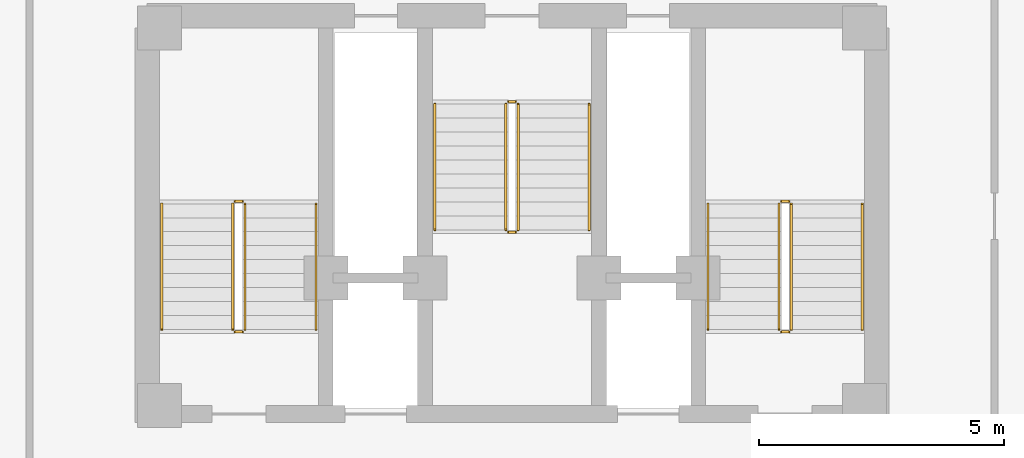
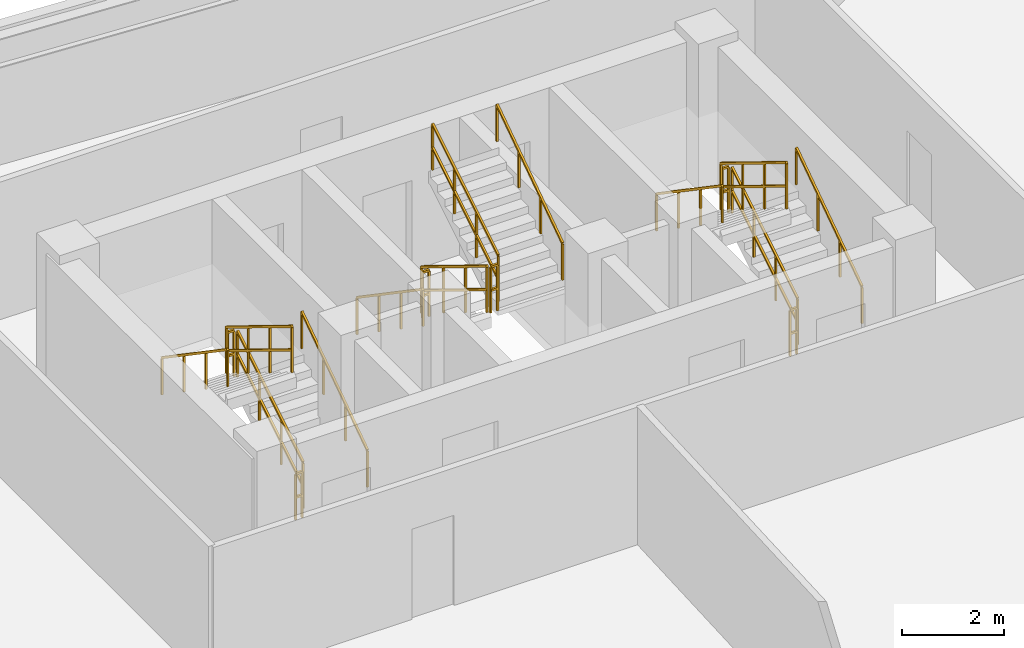
# One storey, part 8 of 8: 18 railings.
"""IFC4 building model written with IfcOpenShell, lengths in metres."""

from ifc_helpers import new_model, si_unit, direction, frame, origin, origin_2d, place, context, subcontext, project, spatial, rectangle, extrude, material, type_object, element, save


model = new_model("IFC4")

# Units and contexts
model_context = context("Model", 3, precision=1e-05, world=origin(), true_north=direction((0.0, 1.0)))
body_context = subcontext(model_context, "Body", "Model", "MODEL_VIEW")
ifc_project = project(units=[si_unit("LENGTHUNIT", "METRE"), si_unit("AREAUNIT", "SQUARE_METRE"), si_unit("VOLUMEUNIT", "CUBIC_METRE"), si_unit("PLANEANGLEUNIT", "RADIAN"), si_unit("MASSUNIT", "GRAM", prefix="KILO")], contexts=[model_context])

# Site, building, storey
site_placement = place(None, origin())
site = spatial("IfcSite", under=ifc_project, at=site_placement, CompositionType="ELEMENT")
building_placement = place(site_placement, origin())
building = spatial("IfcBuilding", under=site, at=building_placement, Name="Apsidion Concourse Tower", CompositionType="ELEMENT")
storey_placement = place(building_placement, frame((0.0, 0.0, 336.0)))
storey = spatial("IfcBuildingStorey", under=building, at=storey_placement, Name="L79", CompositionType="ELEMENT", Elevation=336.0)

# Railings
ifc_material = material(Name="Brushed stainless steel 316", Category="steel")
railing_type_1 = type_object("IfcRailingType", Name="RL-GUARD-1100", PredefinedType="GUARDRAIL", material=ifc_material)
railing_1_placement = place(storey_placement, frame((-5.449951171875, 3.0, 0.175048828125)))
element("IfcRailing", 1, at=railing_1_placement, inside=storey, type_object=railing_type_1, Name="L79 ST1 stair guard 1", PredefinedType="GUARDRAIL", context=body_context, shape_type="SweptSolid", body=[
    extrude(rectangle(XDim=0.048095703125, YDim=0.048095703125, at=origin_2d()), frame((0.0, 0.0, 1.09619140625), z_axis=(0.0, 0.852173129349, 0.523259933127), x_axis=(-1.0, 0.0, 0.0)), (0.0, 0.0, 1.0), 3.009765625),
    extrude(rectangle(XDim=0.048095703125, YDim=0.048095703125, at=origin_2d()), frame((0.0, 0.0, 0.5361328125), z_axis=(0.0, 0.852173129349, 0.523259933127), x_axis=(-1.0, 0.0, 0.0)), (0.0, 0.0, 1.0), 3.009765625),
    extrude(rectangle(XDim=0.0419921875, YDim=0.0419921875, at=origin_2d()), origin(), (0.0, 0.0, 1.0), 1.072021484375),
    extrude(rectangle(XDim=0.0419921875, YDim=0.0419921875, at=origin_2d()), frame((0.0, 0.85498046875, 0.52490234375)), (0.0, 0.0, 1.0), 1.072021484375),
    extrude(rectangle(XDim=0.0419921875, YDim=0.0419921875, at=origin_2d()), frame((0.0, 1.7099609375, 1.050048828125)), (0.0, 0.0, 1.0), 1.072021484375),
    extrude(rectangle(XDim=0.0419921875, YDim=0.0419921875, at=origin_2d()), frame((0.0, 2.56494140625, 1.574951171875)), (0.0, 0.0, 1.0), 1.072021484375),
])
railing_2_placement = place(storey_placement, frame((-5.5, 5.614990234375, 1.75)))
element("IfcRailing", 2, at=railing_2_placement, inside=storey, type_object=railing_type_1, Name="L79 ST1 stair guard 2", PredefinedType="GUARDRAIL", context=body_context, shape_type="SweptSolid", body=[
    extrude(rectangle(XDim=0.048095703125, YDim=0.048095703125, at=origin_2d()), frame((0.0, 0.0, 1.09619140625), z_axis=(-1.0, 0.0, 0.0), x_axis=(0.0, -1.0, 0.0)), (0.0, 0.0, 1.0), 0.14990234375),
    extrude(rectangle(XDim=0.048095703125, YDim=0.048095703125, at=origin_2d()), frame((0.0, 0.0, 0.5361328125), z_axis=(-1.0, 0.0, 0.0), x_axis=(0.0, -1.0, 0.0)), (0.0, 0.0, 1.0), 0.14990234375),
    extrude(rectangle(XDim=0.0419921875, YDim=0.0419921875, at=origin_2d()), origin(), (0.0, 0.0, 1.0), 1.072021484375),
    extrude(rectangle(XDim=0.0419921875, YDim=0.0419921875, at=origin_2d()), frame((-0.14990234375, 0.0, 0.0)), (0.0, 0.0, 1.0), 1.072021484375),
])
railing_3_placement = place(storey_placement, frame((-5.699951171875, 5.56494140625, 1.925048828125)))
element("IfcRailing", 3, at=railing_3_placement, inside=storey, type_object=railing_type_1, Name="L79 ST1 stair guard 3", PredefinedType="GUARDRAIL", context=body_context, shape_type="SweptSolid", body=[
    extrude(rectangle(XDim=0.048095703125, YDim=0.048095703125, at=origin_2d()), frame((0.0, 0.0, 1.09619140625), z_axis=(0.0, -0.852173129349, 0.523259933127), x_axis=(1.0, 0.0, 0.0)), (0.0, 0.0, 1.0), 3.009765625),
    extrude(rectangle(XDim=0.048095703125, YDim=0.048095703125, at=origin_2d()), frame((0.0, 0.0, 0.5361328125), z_axis=(0.0, -0.852173129349, 0.523259933127), x_axis=(1.0, 0.0, 0.0)), (0.0, 0.0, 1.0), 3.009765625),
    extrude(rectangle(XDim=0.0419921875, YDim=0.0419921875, at=origin_2d()), origin(), (0.0, 0.0, 1.0), 1.072021484375),
    extrude(rectangle(XDim=0.0419921875, YDim=0.0419921875, at=origin_2d()), frame((0.0, -0.85498046875, 0.52490234375)), (0.0, 0.0, 1.0), 1.072021484375),
    extrude(rectangle(XDim=0.0419921875, YDim=0.0419921875, at=origin_2d()), frame((0.0, -1.7099609375, 1.050048828125)), (0.0, 0.0, 1.0), 1.072021484375),
    extrude(rectangle(XDim=0.0419921875, YDim=0.0419921875, at=origin_2d()), frame((0.0, -2.56494140625, 1.574951171875)), (0.0, 0.0, 1.0), 1.072021484375),
])
railing_4_placement = place(storey_placement, frame((-5.5, 2.949951171875, 0.0)))
element("IfcRailing", 4, at=railing_4_placement, inside=storey, type_object=railing_type_1, Name="L79 ST1 stair guard 4", PredefinedType="GUARDRAIL", context=body_context, shape_type="SweptSolid", body=[
    extrude(rectangle(XDim=0.048095703125, YDim=0.048095703125, at=origin_2d()), frame((0.0, 0.0, 1.09619140625), z_axis=(-1.0, 0.0, 0.0), x_axis=(0.0, -1.0, 0.0)), (0.0, 0.0, 1.0), 0.14990234375),
    extrude(rectangle(XDim=0.048095703125, YDim=0.048095703125, at=origin_2d()), frame((0.0, 0.0, 0.5361328125), z_axis=(-1.0, 0.0, 0.0), x_axis=(0.0, -1.0, 0.0)), (0.0, 0.0, 1.0), 0.14990234375),
    extrude(rectangle(XDim=0.0419921875, YDim=0.0419921875, at=origin_2d()), origin(), (0.0, 0.0, 1.0), 1.072021484375),
    extrude(rectangle(XDim=0.0419921875, YDim=0.0419921875, at=origin_2d()), frame((-0.14990234375, 0.0, 0.0)), (0.0, 0.0, 1.0), 1.072021484375),
])
railing_5_placement = place(storey_placement, frame((5.699951171875, 3.0, 0.175048828125)))
element("IfcRailing", 5, at=railing_5_placement, inside=storey, type_object=railing_type_1, Name="L79 ST2 stair guard 1", PredefinedType="GUARDRAIL", context=body_context, shape_type="SweptSolid", body=[
    extrude(rectangle(XDim=0.048095703125, YDim=0.048095703125, at=origin_2d()), frame((0.0, 0.0, 1.09619140625), z_axis=(0.0, 0.852173129349, 0.523259933127), x_axis=(-1.0, 0.0, 0.0)), (0.0, 0.0, 1.0), 3.009765625),
    extrude(rectangle(XDim=0.048095703125, YDim=0.048095703125, at=origin_2d()), frame((0.0, 0.0, 0.5361328125), z_axis=(0.0, 0.852173129349, 0.523259933127), x_axis=(-1.0, 0.0, 0.0)), (0.0, 0.0, 1.0), 3.009765625),
    extrude(rectangle(XDim=0.0419921875, YDim=0.0419921875, at=origin_2d()), origin(), (0.0, 0.0, 1.0), 1.072021484375),
    extrude(rectangle(XDim=0.0419921875, YDim=0.0419921875, at=origin_2d()), frame((0.0, 0.85498046875, 0.52490234375)), (0.0, 0.0, 1.0), 1.072021484375),
    extrude(rectangle(XDim=0.0419921875, YDim=0.0419921875, at=origin_2d()), frame((0.0, 1.7099609375, 1.050048828125)), (0.0, 0.0, 1.0), 1.072021484375),
    extrude(rectangle(XDim=0.0419921875, YDim=0.0419921875, at=origin_2d()), frame((0.0, 2.56494140625, 1.574951171875)), (0.0, 0.0, 1.0), 1.072021484375),
])
railing_6_placement = place(storey_placement, frame((5.64990234375, 5.614990234375, 1.75)))
element("IfcRailing", 6, at=railing_6_placement, inside=storey, type_object=railing_type_1, Name="L79 ST2 stair guard 2", PredefinedType="GUARDRAIL", context=body_context, shape_type="SweptSolid", body=[
    extrude(rectangle(XDim=0.048095703125, YDim=0.048095703125, at=origin_2d()), frame((0.0, 0.0, 1.09619140625), z_axis=(-1.0, 0.0, 0.0), x_axis=(0.0, -1.0, 0.0)), (0.0, 0.0, 1.0), 0.14990234375),
    extrude(rectangle(XDim=0.048095703125, YDim=0.048095703125, at=origin_2d()), frame((0.0, 0.0, 0.5361328125), z_axis=(-1.0, 0.0, 0.0), x_axis=(0.0, -1.0, 0.0)), (0.0, 0.0, 1.0), 0.14990234375),
    extrude(rectangle(XDim=0.0419921875, YDim=0.0419921875, at=origin_2d()), origin(), (0.0, 0.0, 1.0), 1.072021484375),
    extrude(rectangle(XDim=0.0419921875, YDim=0.0419921875, at=origin_2d()), frame((-0.14990234375, 0.0, 0.0)), (0.0, 0.0, 1.0), 1.072021484375),
])
railing_7_placement = place(storey_placement, frame((5.449951171875, 5.56494140625, 1.925048828125)))
element("IfcRailing", 7, at=railing_7_placement, inside=storey, type_object=railing_type_1, Name="L79 ST2 stair guard 3", PredefinedType="GUARDRAIL", context=body_context, shape_type="SweptSolid", body=[
    extrude(rectangle(XDim=0.048095703125, YDim=0.048095703125, at=origin_2d()), frame((0.0, 0.0, 1.09619140625), z_axis=(0.0, -0.852173129349, 0.523259933127), x_axis=(1.0, 0.0, 0.0)), (0.0, 0.0, 1.0), 3.009765625),
    extrude(rectangle(XDim=0.048095703125, YDim=0.048095703125, at=origin_2d()), frame((0.0, 0.0, 0.5361328125), z_axis=(0.0, -0.852173129349, 0.523259933127), x_axis=(1.0, 0.0, 0.0)), (0.0, 0.0, 1.0), 3.009765625),
    extrude(rectangle(XDim=0.0419921875, YDim=0.0419921875, at=origin_2d()), origin(), (0.0, 0.0, 1.0), 1.072021484375),
    extrude(rectangle(XDim=0.0419921875, YDim=0.0419921875, at=origin_2d()), frame((0.0, -0.85498046875, 0.52490234375)), (0.0, 0.0, 1.0), 1.072021484375),
    extrude(rectangle(XDim=0.0419921875, YDim=0.0419921875, at=origin_2d()), frame((0.0, -1.7099609375, 1.050048828125)), (0.0, 0.0, 1.0), 1.072021484375),
    extrude(rectangle(XDim=0.0419921875, YDim=0.0419921875, at=origin_2d()), frame((0.0, -2.56494140625, 1.574951171875)), (0.0, 0.0, 1.0), 1.072021484375),
])
railing_8_placement = place(storey_placement, frame((5.64990234375, 2.949951171875, 0.0)))
element("IfcRailing", 8, at=railing_8_placement, inside=storey, type_object=railing_type_1, Name="L79 ST2 stair guard 4", PredefinedType="GUARDRAIL", context=body_context, shape_type="SweptSolid", body=[
    extrude(rectangle(XDim=0.048095703125, YDim=0.048095703125, at=origin_2d()), frame((0.0, 0.0, 1.09619140625), z_axis=(-1.0, 0.0, 0.0), x_axis=(0.0, -1.0, 0.0)), (0.0, 0.0, 1.0), 0.14990234375),
    extrude(rectangle(XDim=0.048095703125, YDim=0.048095703125, at=origin_2d()), frame((0.0, 0.0, 0.5361328125), z_axis=(-1.0, 0.0, 0.0), x_axis=(0.0, -1.0, 0.0)), (0.0, 0.0, 1.0), 0.14990234375),
    extrude(rectangle(XDim=0.0419921875, YDim=0.0419921875, at=origin_2d()), origin(), (0.0, 0.0, 1.0), 1.072021484375),
    extrude(rectangle(XDim=0.0419921875, YDim=0.0419921875, at=origin_2d()), frame((-0.14990234375, 0.0, 0.0)), (0.0, 0.0, 1.0), 1.072021484375),
])
railing_9_placement = place(storey_placement, frame((-0.125, 7.60009765625, 0.175048828125)))
element("IfcRailing", 9, at=railing_9_placement, inside=storey, type_object=railing_type_1, Name="L79 ST3 stair guard 1", PredefinedType="GUARDRAIL", context=body_context, shape_type="SweptSolid", body=[
    extrude(rectangle(XDim=0.048095703125, YDim=0.048095703125, at=origin_2d()), frame((0.0, 0.0, 1.09619140625), z_axis=(0.0, -0.852195335862, 0.523223766217), x_axis=(1.0, 0.0, 0.0)), (0.0, 0.0, 1.0), 3.010009765625),
    extrude(rectangle(XDim=0.048095703125, YDim=0.048095703125, at=origin_2d()), frame((0.0, 0.0, 0.5361328125), z_axis=(0.0, -0.852195335862, 0.523223766217), x_axis=(1.0, 0.0, 0.0)), (0.0, 0.0, 1.0), 3.010009765625),
    extrude(rectangle(XDim=0.0419921875, YDim=0.0419921875, at=origin_2d()), origin(), (0.0, 0.0, 1.0), 1.072021484375),
    extrude(rectangle(XDim=0.0419921875, YDim=0.0419921875, at=origin_2d()), frame((0.0, -0.85498046875, 0.52490234375)), (0.0, 0.0, 1.0), 1.072021484375),
    extrude(rectangle(XDim=0.0419921875, YDim=0.0419921875, at=origin_2d()), frame((0.0, -1.710205078125, 1.050048828125)), (0.0, 0.0, 1.0), 1.072021484375),
    extrude(rectangle(XDim=0.0419921875, YDim=0.0419921875, at=origin_2d()), frame((0.0, -2.565185546875, 1.574951171875)), (0.0, 0.0, 1.0), 1.072021484375),
])
railing_10_placement = place(storey_placement, frame((-0.074951171875, 4.985107421875, 1.75)))
element("IfcRailing", 10, at=railing_10_placement, inside=storey, type_object=railing_type_1, Name="L79 ST3 stair guard 2", PredefinedType="GUARDRAIL", context=body_context, shape_type="SweptSolid", body=[
    extrude(rectangle(XDim=0.048095703125, YDim=0.048095703125, at=origin_2d()), frame((0.0, 0.0, 1.09619140625), z_axis=(1.0, 0.0, 0.0), x_axis=(0.0, 1.0, 0.0)), (0.0, 0.0, 1.0), 0.14990234375),
    extrude(rectangle(XDim=0.048095703125, YDim=0.048095703125, at=origin_2d()), frame((0.0, 0.0, 0.5361328125), z_axis=(1.0, 0.0, 0.0), x_axis=(0.0, 1.0, 0.0)), (0.0, 0.0, 1.0), 0.14990234375),
    extrude(rectangle(XDim=0.0419921875, YDim=0.0419921875, at=origin_2d()), origin(), (0.0, 0.0, 1.0), 1.072021484375),
    extrude(rectangle(XDim=0.0419921875, YDim=0.0419921875, at=origin_2d()), frame((0.14990234375, 0.0, 0.0)), (0.0, 0.0, 1.0), 1.072021484375),
])
railing_11_placement = place(storey_placement, frame((0.125, 5.034912109375, 1.925048828125)))
element("IfcRailing", 11, at=railing_11_placement, inside=storey, type_object=railing_type_1, Name="L79 ST3 stair guard 3", PredefinedType="GUARDRAIL", context=body_context, shape_type="SweptSolid", body=[
    extrude(rectangle(XDim=0.048095703125, YDim=0.048095703125, at=origin_2d()), frame((0.0, 0.0, 1.09619140625), z_axis=(0.0, 0.852195335862, 0.523223766217), x_axis=(-1.0, 0.0, 0.0)), (0.0, 0.0, 1.0), 3.010009765625),
    extrude(rectangle(XDim=0.048095703125, YDim=0.048095703125, at=origin_2d()), frame((0.0, 0.0, 0.5361328125), z_axis=(0.0, 0.852195335862, 0.523223766217), x_axis=(-1.0, 0.0, 0.0)), (0.0, 0.0, 1.0), 3.010009765625),
    extrude(rectangle(XDim=0.0419921875, YDim=0.0419921875, at=origin_2d()), origin(), (0.0, 0.0, 1.0), 1.072021484375),
    extrude(rectangle(XDim=0.0419921875, YDim=0.0419921875, at=origin_2d()), frame((0.0, 0.85498046875, 0.52490234375)), (0.0, 0.0, 1.0), 1.072021484375),
    extrude(rectangle(XDim=0.0419921875, YDim=0.0419921875, at=origin_2d()), frame((0.0, 1.710205078125, 1.050048828125)), (0.0, 0.0, 1.0), 1.072021484375),
    extrude(rectangle(XDim=0.0419921875, YDim=0.0419921875, at=origin_2d()), frame((0.0, 2.565185546875, 1.574951171875)), (0.0, 0.0, 1.0), 1.072021484375),
])
railing_12_placement = place(storey_placement, frame((-0.074951171875, 7.64990234375, 0.0)))
element("IfcRailing", 12, at=railing_12_placement, inside=storey, type_object=railing_type_1, Name="L79 ST3 stair guard 4", PredefinedType="GUARDRAIL", context=body_context, shape_type="SweptSolid", body=[
    extrude(rectangle(XDim=0.048095703125, YDim=0.048095703125, at=origin_2d()), frame((0.0, 0.0, 1.09619140625), z_axis=(1.0, 0.0, 0.0), x_axis=(0.0, 1.0, 0.0)), (0.0, 0.0, 1.0), 0.14990234375),
    extrude(rectangle(XDim=0.048095703125, YDim=0.048095703125, at=origin_2d()), frame((0.0, 0.0, 0.5361328125), z_axis=(1.0, 0.0, 0.0), x_axis=(0.0, 1.0, 0.0)), (0.0, 0.0, 1.0), 0.14990234375),
    extrude(rectangle(XDim=0.0419921875, YDim=0.0419921875, at=origin_2d()), origin(), (0.0, 0.0, 1.0), 1.072021484375),
    extrude(rectangle(XDim=0.0419921875, YDim=0.0419921875, at=origin_2d()), frame((0.14990234375, 0.0, 0.0)), (0.0, 0.0, 1.0), 1.072021484375),
])
railing_type_2 = type_object("IfcRailingType", Name="RL-HAND-900", PredefinedType="HANDRAIL", material=ifc_material)
railing_13_placement = place(storey_placement, frame((-4.0, 3.0, 0.175048828125)))
element("IfcRailing", 13, at=railing_13_placement, inside=storey, type_object=railing_type_2, Name="L79 ST1 stair handrail 1", PredefinedType="HANDRAIL", context=body_context, shape_type="SweptSolid", body=[
    extrude(rectangle(XDim=0.048095703125, YDim=0.048095703125, at=origin_2d()), frame((0.0, 0.0, 0.8759765625), z_axis=(0.0, 0.826050974716, 0.563595410885), x_axis=(-1.0, 0.0, 0.0)), (0.0, 0.0, 1.0), 3.10498046875),
    extrude(rectangle(XDim=0.0419921875, YDim=0.0419921875, at=origin_2d()), origin(), (0.0, 0.0, 1.0), 0.851806640625),
    extrude(rectangle(XDim=0.0419921875, YDim=0.0419921875, at=origin_2d()), frame((0.0, 0.85498046875, 0.583251953125)), (0.0, 0.0, 1.0), 0.851806640625),
    extrude(rectangle(XDim=0.0419921875, YDim=0.0419921875, at=origin_2d()), frame((0.0, 1.7099609375, 1.166748046875)), (0.0, 0.0, 1.0), 0.851806640625),
    extrude(rectangle(XDim=0.0419921875, YDim=0.0419921875, at=origin_2d()), frame((0.0, 2.56494140625, 1.75)), (0.0, 0.0, 1.0), 0.851806640625),
])
railing_14_placement = place(storey_placement, frame((-7.14990234375, 5.56494140625, 1.925048828125)))
element("IfcRailing", 14, at=railing_14_placement, inside=storey, type_object=railing_type_2, Name="L79 ST1 stair handrail 2", PredefinedType="HANDRAIL", context=body_context, shape_type="SweptSolid", body=[
    extrude(rectangle(XDim=0.048095703125, YDim=0.048095703125, at=origin_2d()), frame((0.0, 0.0, 0.8759765625), z_axis=(0.0, -0.826050974716, 0.563595410885), x_axis=(1.0, 0.0, 0.0)), (0.0, 0.0, 1.0), 3.10498046875),
    extrude(rectangle(XDim=0.0419921875, YDim=0.0419921875, at=origin_2d()), origin(), (0.0, 0.0, 1.0), 0.851806640625),
    extrude(rectangle(XDim=0.0419921875, YDim=0.0419921875, at=origin_2d()), frame((0.0, -0.85498046875, 0.583251953125)), (0.0, 0.0, 1.0), 0.851806640625),
    extrude(rectangle(XDim=0.0419921875, YDim=0.0419921875, at=origin_2d()), frame((0.0, -1.7099609375, 1.166748046875)), (0.0, 0.0, 1.0), 0.851806640625),
    extrude(rectangle(XDim=0.0419921875, YDim=0.0419921875, at=origin_2d()), frame((0.0, -2.56494140625, 1.75)), (0.0, 0.0, 1.0), 0.851806640625),
])
railing_15_placement = place(storey_placement, frame((7.14990234375, 3.0, 0.175048828125)))
element("IfcRailing", 15, at=railing_15_placement, inside=storey, type_object=railing_type_2, Name="L79 ST2 stair handrail 1", PredefinedType="HANDRAIL", context=body_context, shape_type="SweptSolid", body=[
    extrude(rectangle(XDim=0.048095703125, YDim=0.048095703125, at=origin_2d()), frame((0.0, 0.0, 0.8759765625), z_axis=(0.0, 0.826050974716, 0.563595410885), x_axis=(-1.0, 0.0, 0.0)), (0.0, 0.0, 1.0), 3.10498046875),
    extrude(rectangle(XDim=0.0419921875, YDim=0.0419921875, at=origin_2d()), origin(), (0.0, 0.0, 1.0), 0.851806640625),
    extrude(rectangle(XDim=0.0419921875, YDim=0.0419921875, at=origin_2d()), frame((0.0, 0.85498046875, 0.583251953125)), (0.0, 0.0, 1.0), 0.851806640625),
    extrude(rectangle(XDim=0.0419921875, YDim=0.0419921875, at=origin_2d()), frame((0.0, 1.7099609375, 1.166748046875)), (0.0, 0.0, 1.0), 0.851806640625),
    extrude(rectangle(XDim=0.0419921875, YDim=0.0419921875, at=origin_2d()), frame((0.0, 2.56494140625, 1.75)), (0.0, 0.0, 1.0), 0.851806640625),
])
railing_16_placement = place(storey_placement, frame((4.0, 5.56494140625, 1.925048828125)))
element("IfcRailing", 16, at=railing_16_placement, inside=storey, type_object=railing_type_2, Name="L79 ST2 stair handrail 2", PredefinedType="HANDRAIL", context=body_context, shape_type="SweptSolid", body=[
    extrude(rectangle(XDim=0.048095703125, YDim=0.048095703125, at=origin_2d()), frame((0.0, 0.0, 0.8759765625), z_axis=(0.0, -0.826050974716, 0.563595410885), x_axis=(1.0, 0.0, 0.0)), (0.0, 0.0, 1.0), 3.10498046875),
    extrude(rectangle(XDim=0.0419921875, YDim=0.0419921875, at=origin_2d()), origin(), (0.0, 0.0, 1.0), 0.851806640625),
    extrude(rectangle(XDim=0.0419921875, YDim=0.0419921875, at=origin_2d()), frame((0.0, -0.85498046875, 0.583251953125)), (0.0, 0.0, 1.0), 0.851806640625),
    extrude(rectangle(XDim=0.0419921875, YDim=0.0419921875, at=origin_2d()), frame((0.0, -1.7099609375, 1.166748046875)), (0.0, 0.0, 1.0), 0.851806640625),
    extrude(rectangle(XDim=0.0419921875, YDim=0.0419921875, at=origin_2d()), frame((0.0, -2.56494140625, 1.75)), (0.0, 0.0, 1.0), 0.851806640625),
])
railing_17_placement = place(storey_placement, frame((-1.574951171875, 7.60009765625, 0.175048828125)))
element("IfcRailing", 17, at=railing_17_placement, inside=storey, type_object=railing_type_2, Name="L79 ST3 stair handrail 1", PredefinedType="HANDRAIL", context=body_context, shape_type="SweptSolid", body=[
    extrude(rectangle(XDim=0.048095703125, YDim=0.048095703125, at=origin_2d()), frame((0.0, 0.0, 0.8759765625), z_axis=(0.0, -0.826075947217, 0.563558807428), x_axis=(1.0, 0.0, 0.0)), (0.0, 0.0, 1.0), 3.105224609375),
    extrude(rectangle(XDim=0.0419921875, YDim=0.0419921875, at=origin_2d()), origin(), (0.0, 0.0, 1.0), 0.851806640625),
    extrude(rectangle(XDim=0.0419921875, YDim=0.0419921875, at=origin_2d()), frame((0.0, -0.85498046875, 0.583251953125)), (0.0, 0.0, 1.0), 0.851806640625),
    extrude(rectangle(XDim=0.0419921875, YDim=0.0419921875, at=origin_2d()), frame((0.0, -1.710205078125, 1.166748046875)), (0.0, 0.0, 1.0), 0.851806640625),
    extrude(rectangle(XDim=0.0419921875, YDim=0.0419921875, at=origin_2d()), frame((0.0, -2.565185546875, 1.75)), (0.0, 0.0, 1.0), 0.851806640625),
])
railing_18_placement = place(storey_placement, frame((1.574951171875, 5.034912109375, 1.925048828125)))
element("IfcRailing", 18, at=railing_18_placement, inside=storey, type_object=railing_type_2, Name="L79 ST3 stair handrail 2", PredefinedType="HANDRAIL", context=body_context, shape_type="SweptSolid", body=[
    extrude(rectangle(XDim=0.048095703125, YDim=0.048095703125, at=origin_2d()), frame((0.0, 0.0, 0.8759765625), z_axis=(0.0, 0.826075947217, 0.563558807428), x_axis=(-1.0, 0.0, 0.0)), (0.0, 0.0, 1.0), 3.105224609375),
    extrude(rectangle(XDim=0.0419921875, YDim=0.0419921875, at=origin_2d()), origin(), (0.0, 0.0, 1.0), 0.851806640625),
    extrude(rectangle(XDim=0.0419921875, YDim=0.0419921875, at=origin_2d()), frame((0.0, 0.85498046875, 0.583251953125)), (0.0, 0.0, 1.0), 0.851806640625),
    extrude(rectangle(XDim=0.0419921875, YDim=0.0419921875, at=origin_2d()), frame((0.0, 1.710205078125, 1.166748046875)), (0.0, 0.0, 1.0), 0.851806640625),
    extrude(rectangle(XDim=0.0419921875, YDim=0.0419921875, at=origin_2d()), frame((0.0, 2.565185546875, 1.75)), (0.0, 0.0, 1.0), 0.851806640625),
])

save(model, "model.ifc")
